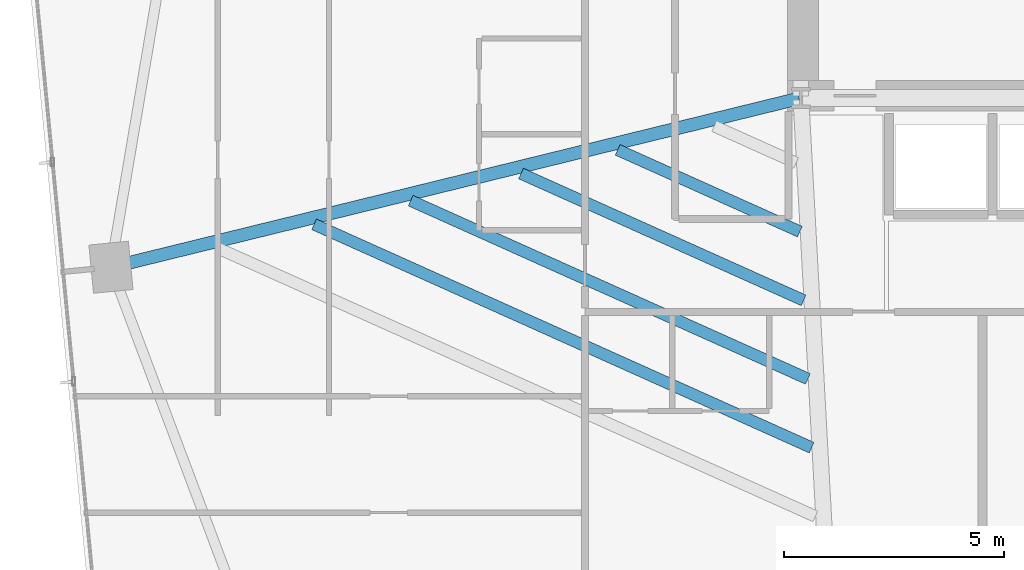
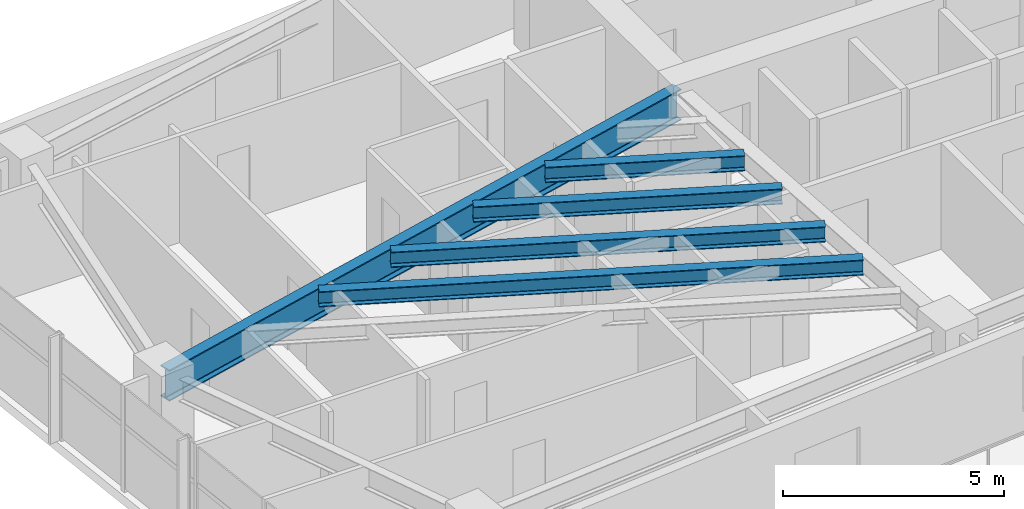
# One storey, part 5 of 25: 5 beams.
"""IFC4 building model written with IfcOpenShell, lengths in metres."""

from ifc_helpers import new_model, si_unit, direction, frame, origin, origin_2d, place, context, subcontext, project, spatial, i_section, extrude, source, transform, mapped, material, material_profile, profile_set, type_object, type_shapes, element, save


model = new_model("IFC4")

# Units and contexts
model_context = context("Model", 3, precision=1e-05, world=origin(), true_north=direction((0.0, 1.0)))
body_context = subcontext(model_context, "Body", "Model", "MODEL_VIEW")
ifc_project = project(units=[si_unit("LENGTHUNIT", "METRE"), si_unit("AREAUNIT", "SQUARE_METRE"), si_unit("VOLUMEUNIT", "CUBIC_METRE"), si_unit("PLANEANGLEUNIT", "RADIAN"), si_unit("MASSUNIT", "GRAM", prefix="KILO")], contexts=[model_context])

# Site, building, storey
site_placement = place(None, origin())
site = spatial("IfcSite", under=ifc_project, at=site_placement, CompositionType="ELEMENT")
building_placement = place(site_placement, origin())
building = spatial("IfcBuilding", under=site, at=building_placement, Name="Astriad Promenade Condominiums", CompositionType="ELEMENT")
storey_placement = place(building_placement, frame((0.0, 0.0, 100.199951171875)))
storey = spatial("IfcBuildingStorey", under=building, at=storey_placement, Name="L28", CompositionType="ELEMENT", Elevation=100.199951171875)

# Beams
ifc_material = material(Name="Steel ASTM A992 Grade 50", Category="steel")
ifc_material_profile_1 = material_profile(ifc_material, i_section(OverallWidth=0.2919921875, OverallDepth=0.85888671875, WebThickness=0.01708984375, FlangeThickness=0.031005859375, FilletRadius=0.02294921875, at=origin_2d()), Name="W33X169")
ifc_profile_set_1 = profile_set([ifc_material_profile_1], Name="Steel ASTM A992 Grade 50")
beam_type_1 = type_object("IfcBeamType", Name="STEEL PRIMARY GIRDER W33X169", PredefinedType="BEAM", material=ifc_profile_set_1)
shared_shape_1 = source(origin(), body_context, "Body", "SweptSolid", [
    extrude(i_section(OverallWidth=0.2919921875, OverallDepth=0.85888671875, WebThickness=0.01708984375, FlangeThickness=0.031005859375, FilletRadius=0.02294921875, at=origin_2d()), origin(), (0.0, 0.0, 1.0), 16.032470703125),
])
type_shapes(beam_type_1, [shared_shape_1])
beam_1_placement = place(storey_placement, frame((10.790283203125, 13.5703125, 2.510498046875), z_axis=(0.971199076901, 0.238269496633, 0.0), x_axis=(-0.238269496633, 0.971199076901, 0.0)))
element("IfcBeam", 1, at=beam_1_placement, inside=storey, type_object=beam_type_1, Name="Primary Floor Girder PG-WM-L28", PredefinedType="BEAM", context=body_context, shape_type="MappedRepresentation", body=[
    mapped(shared_shape_1, transform((0.0, 0.0, 0.0), scale=1.0)),
])
ifc_material_profile_2 = material_profile(ifc_material, i_section(OverallWidth=0.26318359375, OverallDepth=0.425537109375, WebThickness=0.01318359375, FlangeThickness=0.022216796875, FilletRadius=0.013916015625, at=origin_2d()), Name="W16X89")
ifc_profile_set_2 = profile_set([ifc_material_profile_2], Name="Steel ASTM A992 Grade 50")
beam_type_2 = type_object("IfcBeamType", Name="STEEL FLOOR JOIST W16X89", PredefinedType="JOIST", material=ifc_profile_set_2)
shared_shape_2 = source(origin(), body_context, "Body", "SweptSolid", [
    extrude(i_section(OverallWidth=0.26318359375, OverallDepth=0.425537109375, WebThickness=0.01318359375, FlangeThickness=0.022216796875, FilletRadius=0.013916015625, at=origin_2d()), origin(), (0.0, 0.0, 1.0), 12.369140625),
])
beam_2_placement = place(storey_placement, frame((15.35888671875, 14.534423828125, 2.727294921875), z_axis=(0.91230851279, -0.409503574454, 0.0), x_axis=(0.409503574454, 0.91230851279, 0.0)))
element("IfcBeam", 2, at=beam_2_placement, inside=storey, type_object=beam_type_2, Name="Secondary Composite Floor Joist JW1-2-L28", PredefinedType="JOIST", context=body_context, shape_type="MappedRepresentation", body=[
    mapped(shared_shape_2, transform((0.0, 0.0, 0.0), scale=1.0)),
])
shared_shape_3 = source(origin(), body_context, "Body", "SweptSolid", [
    extrude(i_section(OverallWidth=0.26318359375, OverallDepth=0.425537109375, WebThickness=0.01318359375, FlangeThickness=0.022216796875, FilletRadius=0.013916015625, at=origin_2d()), origin(), (0.0, 0.0, 1.0), 9.875),
])
beam_3_placement = place(storey_placement, frame((17.549560546875, 15.072021484375, 2.727294921875), z_axis=(0.912313833055, -0.409491721549, 0.0), x_axis=(0.409491721549, 0.912313833055, 0.0)))
element("IfcBeam", 3, at=beam_3_placement, inside=storey, type_object=beam_type_2, Name="Secondary Composite Floor Joist JW1-3-L28", PredefinedType="JOIST", context=body_context, shape_type="MappedRepresentation", body=[
    mapped(shared_shape_3, transform((0.0, 0.0, 0.0), scale=1.0)),
])
shared_shape_4 = source(origin(), body_context, "Body", "SweptSolid", [
    extrude(i_section(OverallWidth=0.26318359375, OverallDepth=0.425537109375, WebThickness=0.01318359375, FlangeThickness=0.022216796875, FilletRadius=0.013916015625, at=origin_2d()), origin(), (0.0, 0.0, 1.0), 7.024169921875),
])
beam_4_placement = place(storey_placement, frame((20.053466796875, 15.686279296875, 2.727294921875), z_axis=(0.912306106293, -0.409508935703, 0.0), x_axis=(0.409508935703, 0.912306106293, 0.0)))
element("IfcBeam", 4, at=beam_4_placement, inside=storey, type_object=beam_type_2, Name="Secondary Composite Floor Joist JW1-4-L28", PredefinedType="JOIST", context=body_context, shape_type="MappedRepresentation", body=[
    mapped(shared_shape_4, transform((0.0, 0.0, 0.0), scale=1.0)),
])
shared_shape_5 = source(origin(), body_context, "Body", "SweptSolid", [
    extrude(i_section(OverallWidth=0.26318359375, OverallDepth=0.425537109375, WebThickness=0.01318359375, FlangeThickness=0.022216796875, FilletRadius=0.013916015625, at=origin_2d()), origin(), (0.0, 0.0, 1.0), 4.52978515625),
])
type_shapes(beam_type_2, [shared_shape_2, shared_shape_3, shared_shape_4, shared_shape_5])
beam_5_placement = place(storey_placement, frame((22.244140625, 16.2236328125, 2.727294921875), z_axis=(0.912307341368, -0.409506184186, 0.0), x_axis=(0.409506184186, 0.912307341368, 0.0)))
element("IfcBeam", 5, at=beam_5_placement, inside=storey, type_object=beam_type_2, Name="Secondary Composite Floor Joist JW1-5-L28", PredefinedType="JOIST", context=body_context, shape_type="MappedRepresentation", body=[
    mapped(shared_shape_5, transform((0.0, 0.0, 0.0), scale=1.0)),
])

save(model, "model.ifc")
